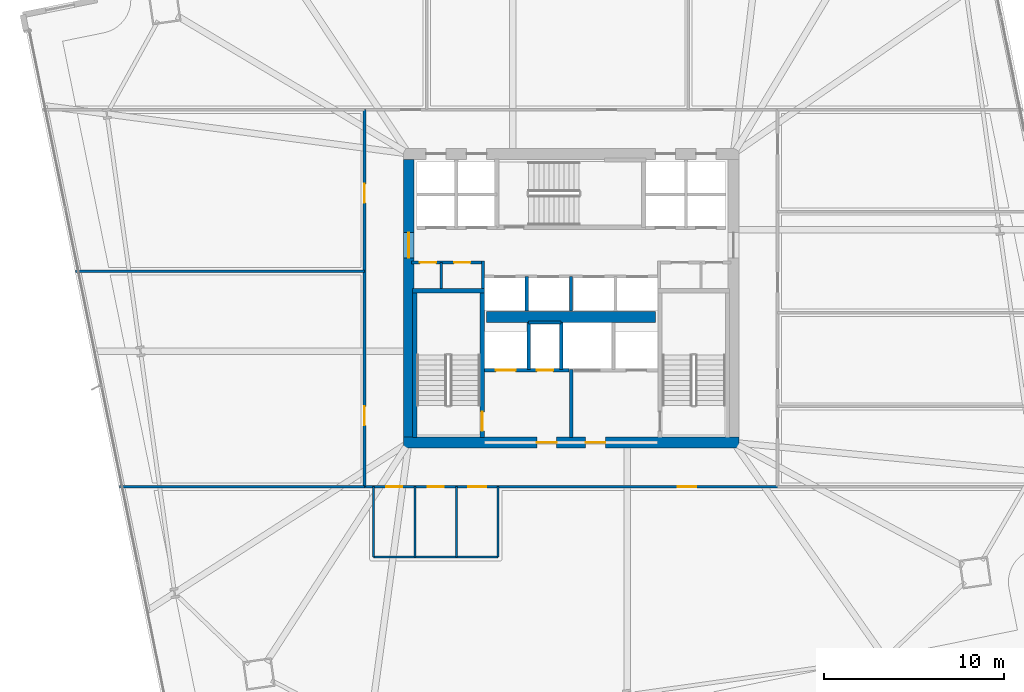
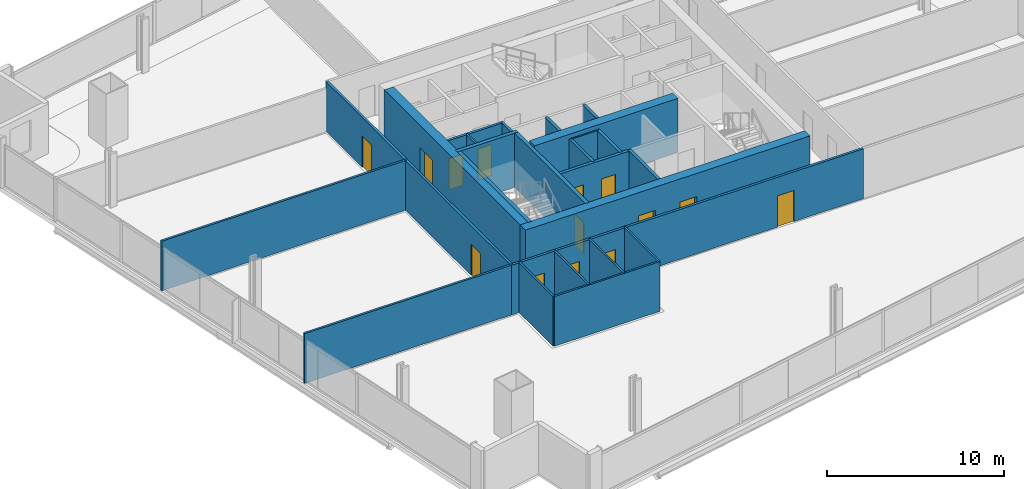
# One storey, part 25 of 33: 25 walls, 14 doors, 14 openings.
"""IFC4 building model written with IfcOpenShell, lengths in metres."""

import ifcopenshell
import ifcopenshell.guid

model = None  # the IFC model being written
_history = None  # IfcOwnerHistory: only IFC2X3 demands one
_inside = {}  # id of a spatial element -> (the spatial element, [elements in it])
_under = {}  # id of a project, library or spatial element -> (it, [spatial elements below it])
_declared = {}  # id of a project -> (the project, [libraries it declares])
_typed = {}  # id of a type object -> (the type object, [elements of that type])
_made_of = {}  # id of a material, layer set ... -> (it, [elements and type objects made of it])


def new_model(schema):
    """Start an empty IFC model of exactly this schema.

    Asked for "IFC4X3", IfcOpenShell would pick the latest addendum, in which some entities
    have other attributes; the version numbers below select the first issue.
    IFC2X3 requires an IfcOwnerHistory on every rooted entity: one is made here for all.
    """
    global model, _history
    if schema == "IFC4X3":
        model = ifcopenshell.file(schema_version=(4, 3, 0, 0))
    else:
        model = ifcopenshell.file(schema=schema)
    _inside.clear()
    _under.clear()
    _declared.clear()
    _typed.clear()
    _made_of.clear()
    _history = None
    if model.schema == "IFC2X3":
        org = make("IfcOrganization", Name="unknown")
        user = make(
            "IfcPersonAndOrganization",
            ThePerson=make("IfcPerson", FamilyName="unknown"),
            TheOrganization=org,
        )
        app = make(
            "IfcApplication",
            ApplicationDeveloper=org,
            Version="unknown",
            ApplicationFullName="unknown",
            ApplicationIdentifier="unknown",
        )
        _history = make(
            "IfcOwnerHistory",
            OwningUser=user,
            OwningApplication=app,
            ChangeAction="ADDED",
            CreationDate=0,
        )
    return model


def make(cls, **values):
    """One entity of the class cls with the attributes given. An attribute that is None is left unset."""
    return model.create_entity(
        cls, **{name: value for name, value in values.items() if value is not None}
    )


def rooted(cls, **values):
    """An entity with a GlobalId (a new one), such as an element, a storey or a relation."""
    return make(cls, GlobalId=ifcopenshell.guid.new(), OwnerHistory=_history, **values)


def si_unit(unit_type, name, prefix=None):
    """IfcSIUnit, for example si_unit("LENGTHUNIT", "METRE", prefix="MILLI")."""
    return make("IfcSIUnit", UnitType=unit_type, Prefix=prefix, Name=name)


def assignment(units):
    """IfcUnitAssignment: the units of a project."""
    return None if units is None else make("IfcUnitAssignment", Units=units)


def point(xyz):
    """IfcCartesianPoint."""
    return None if xyz is None else make("IfcCartesianPoint", Coordinates=xyz)


def direction(xyz):
    """IfcDirection."""
    return None if xyz is None else make("IfcDirection", DirectionRatios=xyz)


def frame(location, z_axis=None, x_axis=None):
    """IfcAxis2Placement3D, a coordinate frame: its origin and axes. An axis left out is left unset."""
    return make(
        "IfcAxis2Placement3D",
        Location=point(location),
        Axis=direction(z_axis),
        RefDirection=direction(x_axis),
    )


def frame_2d(location, x_axis=None):
    """IfcAxis2Placement2D, a coordinate frame in the plane: its origin and x axis."""
    return make(
        "IfcAxis2Placement2D", Location=point(location), RefDirection=direction(x_axis)
    )


def origin():
    """The frame at (0, 0, 0) with its axes left unset."""
    return frame((0.0, 0.0, 0.0))


def place(relative_to, where):
    """IfcLocalPlacement: puts the frame where relative to a parent placement (None: the world)."""
    return make(
        "IfcLocalPlacement", PlacementRelTo=relative_to, RelativePlacement=where
    )


def context(
    kind, dimensions, precision=None, world=None, true_north=None, identifier=None
):
    """IfcGeometricRepresentationContext, for example the 3D "Model" context."""
    return make(
        "IfcGeometricRepresentationContext",
        ContextIdentifier=identifier,
        ContextType=kind,
        CoordinateSpaceDimension=dimensions,
        Precision=precision,
        WorldCoordinateSystem=world,
        TrueNorth=true_north,
    )


def subcontext(parent, identifier, kind, view, scale=None):
    """IfcGeometricRepresentationSubContext, for example "Body" below "Model"."""
    return make(
        "IfcGeometricRepresentationSubContext",
        ContextIdentifier=identifier,
        ContextType=kind,
        ParentContext=parent,
        TargetScale=scale,
        TargetView=view,
    )


def project(units=None, contexts=None):
    """IfcProject with its units and contexts."""
    return rooted(
        "IfcProject",
        Name="project",
        RepresentationContexts=contexts,
        UnitsInContext=assignment(units),
    )


def spatial(cls, under=None, at=None, **own):
    """A site, building, storey or space (cls), placed at a placement, below another one or the project."""
    s = rooted(cls, ObjectPlacement=at, **own)
    if under is not None:
        _under.setdefault(under.id(), (under, []))[1].append(s)
    return s


def profile(cls, at=None, kind="AREA", **sizes):
    """A parametric profile (cls). Its sizes go by their IFC names, for example OverallWidth=200.0."""
    return make(cls, ProfileType=kind, Position=at, **sizes)


def rectangle(**sizes):
    """IfcRectangleProfileDef."""
    return profile("IfcRectangleProfileDef", **sizes)


def extrude(swept, where, along, depth):
    """IfcExtrudedAreaSolid: the profile swept, set in the frame where, extruded along a direction by depth."""
    return make(
        "IfcExtrudedAreaSolid",
        SweptArea=swept,
        Position=where,
        ExtrudedDirection=direction(along),
        Depth=depth,
    )


def shape(context_of_items, identifier, shape_type, items):
    """IfcShapeRepresentation: the items that make up one representation, for example the "Body"."""
    return make(
        "IfcShapeRepresentation",
        ContextOfItems=context_of_items,
        RepresentationIdentifier=identifier,
        RepresentationType=shape_type,
        Items=items,
    )


def material(Name=None, Category=None):
    """IfcMaterial."""
    return make("IfcMaterial", Name=Name, Category=Category)


def layer(
    of_material, thickness, ventilated=None, Name=None, Category=None, Priority=None
):
    """IfcMaterialLayer: one layer of a wall or slab, of a material (None: an air gap)."""
    return make(
        "IfcMaterialLayer",
        Material=of_material,
        LayerThickness=thickness,
        IsVentilated=ventilated,
        Name=Name,
        Category=Category,
        Priority=Priority,
    )


def layer_set(layers, Name=None):
    """IfcMaterialLayerSet."""
    return make("IfcMaterialLayerSet", MaterialLayers=layers, LayerSetName=Name)


def made_of(thing, what):
    """Note that an element or type object is made of a material, layer set ...; save() writes the relation."""
    if what is not None:
        _made_of.setdefault(what.id(), (what, []))[1].append(thing)
    return thing


def type_object(cls, material=None, **own):
    """A type object (cls), such as IfcWallType, which elements share."""
    return made_of(rooted(cls, **own), material)


def element(
    cls,
    number,
    at=None,
    inside=None,
    cuts=None,
    type_object=None,
    material=None,
    context=None,
    identifier="Body",
    shape_type=None,
    held_by="IfcProductDefinitionShape",
    body=None,
    shapes=None,
    **own,
):
    """One element of the class cls, such as IfcWall. Its Tag is "e" and its number.

    at: its placement. inside: the storey or other place that contains it. cuts: it is an
    opening in that element (IfcRelVoidsElement). A single representation is given by context,
    identifier, shape_type and body (its items); several are given by shapes. held_by: the class
    of the entity that holds the representations. save() writes the other relations.
    """
    e = rooted(cls, Tag="e%d" % number, ObjectPlacement=at, **own)
    if body is not None:
        shapes = [shape(context, identifier, shape_type, body)]
    if shapes is not None:
        e.Representation = make(held_by, Representations=shapes)
    if inside is not None:
        _inside.setdefault(inside.id(), (inside, []))[1].append(e)
    if cuts is not None:
        rooted(
            "IfcRelVoidsElement", RelatingBuildingElement=cuts, RelatedOpeningElement=e
        )
    if type_object is not None:
        _typed.setdefault(type_object.id(), (type_object, []))[1].append(e)
    return made_of(e, material)


def fill(opening, filler):
    """IfcRelFillsElement: the door or window that sits in an opening."""
    return rooted(
        "IfcRelFillsElement",
        RelatingOpeningElement=opening,
        RelatedBuildingElement=filler,
    )


def aggregate(whole, parts):
    """IfcRelAggregates: a whole, such as a stair, and the parts it consists of."""
    return rooted("IfcRelAggregates", RelatingObject=whole, RelatedObjects=parts)


def save(model, path):
    """Write the relations noted so far, then the file.

    IfcRelAggregates (storeys below a building ...), IfcRelContainedInSpatialStructure (elements
    in a storey), IfcRelDefinesByType, IfcRelAssociatesMaterial and IfcRelDeclares: one each for
    every whole, place, type object, material and project.
    """
    for whole, parts in _under.values():
        aggregate(whole, parts)
    for where, things in _inside.values():
        rooted(
            "IfcRelContainedInSpatialStructure",
            RelatedElements=things,
            RelatingStructure=where,
        )
    for kind, things in _typed.values():
        rooted("IfcRelDefinesByType", RelatedObjects=things, RelatingType=kind)
    for what, things in _made_of.values():
        rooted("IfcRelAssociatesMaterial", RelatedObjects=things, RelatingMaterial=what)
    for by, libraries in _declared.values():
        rooted("IfcRelDeclares", RelatingContext=by, RelatedDefinitions=libraries)
    model.write(path)


model = new_model("IFC4")

# Units and contexts
model_context = context("Model", 3, precision=1e-05, world=origin(), true_north=direction((0.0, 1.0)))
body_context = subcontext(model_context, "Body", "Model", "MODEL_VIEW")
ifc_project = project(units=[si_unit("LENGTHUNIT", "METRE"), si_unit("AREAUNIT", "SQUARE_METRE"), si_unit("VOLUMEUNIT", "CUBIC_METRE"), si_unit("PLANEANGLEUNIT", "RADIAN"), si_unit("MASSUNIT", "GRAM", prefix="KILO")], contexts=[model_context])

# Site, building, storey
site_placement = place(None, origin())
site = spatial("IfcSite", under=ifc_project, at=site_placement, CompositionType="ELEMENT")
building_placement = place(site_placement, origin())
building = spatial("IfcBuilding", under=site, at=building_placement, Name="Haldenkirk Collegiate Tower", CompositionType="ELEMENT")
storey_placement = place(building_placement, frame((0.0, 0.0, 66.449951171875)))
storey = spatial("IfcBuildingStorey", under=building, at=storey_placement, Name="L15", CompositionType="ELEMENT", Elevation=66.449951171875)

# Wall, openings, doors
ifc_material_1 = material(Name="Concrete f'c 70 MPa", Category="concrete")
ifc_layer_1 = layer(ifc_material_1, 0.60009765625)
ifc_layer_set_1 = layer_set([ifc_layer_1], Name="Concrete f'c 70 MPa")
wall_type_1 = type_object("IfcWallType", Name="WL-CORE-600", PredefinedType="SHEAR", material=ifc_layer_set_1)
wall_1_placement = place(storey_placement, frame((26.699951171875, 18.0, 0.0), z_axis=(0.0, 0.0, 1.0), x_axis=(1.0, 0.0, 0.0)))
wall_1 = element("IfcWall", 1, at=wall_1_placement, inside=storey, type_object=wall_type_1, Name="L15 central core shear wall S", PredefinedType="SHEAR", context=body_context, shape_type="SweptSolid", body=[
    extrude(rectangle(XDim=18.60009765625, YDim=0.60009765625, at=frame_2d((9.300048828125, 0.0))), origin(), (0.0, 0.0, 1.0), 3.75),
])
opening_1_placement = place(wall_1_placement, frame((7.39990234375, 0.0, 0.0)))
opening_1 = element("IfcOpeningElement", 2, at=opening_1_placement, cuts=wall_1, Name="Opening D-02", PredefinedType="OPENING", context=body_context, shape_type="SweptSolid", body=[
    extrude(rectangle(XDim=1.10009765625, YDim=2.14990234375, at=frame_2d((0.550048828125, 1.074951171875))), frame((0.0, 0.31005859375, 0.0), z_axis=(0.0, -1.0, 0.0), x_axis=(1.0, 0.0, 0.0)), (0.0, 0.0, 1.0), 0.6201171875),
])
opening_2_placement = place(wall_1_placement, frame((10.10009765625, 0.0, 0.0)))
opening_2 = element("IfcOpeningElement", 3, at=opening_2_placement, cuts=wall_1, Name="Opening D-02", PredefinedType="OPENING", context=body_context, shape_type="SweptSolid", body=[
    extrude(rectangle(XDim=1.10009765625, YDim=2.14990234375, at=frame_2d((0.550048828125, 1.074951171875))), frame((0.0, 0.31005859375, 0.0), z_axis=(0.0, -1.0, 0.0), x_axis=(1.0, 0.0, 0.0)), (0.0, 0.0, 1.0), 0.6201171875),
])
ifc_material_2 = material(Name="Galvanized fire-rated hollow steel door", Category="steel")
ifc_layer_2 = layer(ifc_material_2, 0.06005859375)
ifc_layer_set_2 = layer_set([ifc_layer_2], Name="Galvanized fire-rated hollow steel door")
door_type_1 = type_object("IfcDoorType", Name="DR-STAIR-FD90-1100", OperationType="NOTDEFINED", PredefinedType="DOOR", material=ifc_layer_set_2)
door_1_placement = place(opening_1_placement, origin())
door_1 = element("IfcDoor", 4, at=door_1_placement, inside=storey, type_object=door_type_1, Name="L15 Firefighting Lobby 1 door", OperationType="SINGLE_SWING_LEFT", OverallHeight=2.14990234375, OverallWidth=1.10009765625, PredefinedType="DOOR", context=body_context, shape_type="SweptSolid", body=[
    extrude(rectangle(XDim=1.10009765625, YDim=2.14990234375, at=frame_2d((0.550048828125, 1.074951171875))), frame((0.0, 0.02490234375, 0.0), z_axis=(0.0, -1.0, 0.0), x_axis=(1.0, 0.0, 0.0)), (0.0, 0.0, 1.0), 0.050048828125),
])
fill(opening_1, door_1)
door_2_placement = place(opening_2_placement, origin())
door_2 = element("IfcDoor", 5, at=door_2_placement, inside=storey, type_object=door_type_1, Name="L15 Firefighting Lobby 2 door", OperationType="SINGLE_SWING_RIGHT", OverallHeight=2.14990234375, OverallWidth=1.10009765625, PredefinedType="DOOR", context=body_context, shape_type="SweptSolid", body=[
    extrude(rectangle(XDim=1.10009765625, YDim=2.14990234375, at=frame_2d((0.550048828125, 1.074951171875))), frame((0.0, 0.02490234375, 0.0), z_axis=(0.0, -1.0, 0.0), x_axis=(1.0, 0.0, 0.0)), (0.0, 0.0, 1.0), 0.050048828125),
])
fill(opening_2, door_2)

# Wall, opening, door
wall_2_placement = place(storey_placement, frame((27.0, 18.300048828125, 0.0), z_axis=(0.0, 0.0, 1.0), x_axis=(0.0, 1.0, 0.0)))
wall_2 = element("IfcWall", 6, at=wall_2_placement, inside=storey, type_object=wall_type_1, Name="L15 central core shear wall W", PredefinedType="SHEAR", context=body_context, shape_type="SweptSolid", body=[
    extrude(rectangle(XDim=15.39990234375, YDim=0.60009765625, at=frame_2d((7.699951171875, 0.0))), origin(), (0.0, 0.0, 1.0), 3.75),
])
opening_3_placement = place(wall_2_placement, frame((9.93994140625, 0.0, 0.0)))
opening_3 = element("IfcOpeningElement", 7, at=opening_3_placement, cuts=wall_2, Name="Opening D-03", PredefinedType="OPENING", context=body_context, shape_type="SweptSolid", body=[
    extrude(rectangle(XDim=1.39990234375, YDim=2.199951171875, at=frame_2d((0.699951171875, 1.10009765625))), frame((0.0, 0.31005859375, 0.0), z_axis=(0.0, -1.0, 0.0), x_axis=(1.0, 0.0, 0.0)), (0.0, 0.0, 1.0), 0.6201171875),
])
ifc_layer_3 = layer(ifc_material_2, 0.06005859375)
ifc_layer_set_3 = layer_set([ifc_layer_3], Name="Galvanized fire-rated hollow steel door")
door_type_2 = type_object("IfcDoorType", Name="DR-LOBBY-FD90-1400", OperationType="NOTDEFINED", PredefinedType="DOOR", material=ifc_layer_set_3)
door_3_placement = place(opening_3_placement, origin())
door_3 = element("IfcDoor", 8, at=door_3_placement, inside=storey, type_object=door_type_2, Name="L15 west lift lobby portal", OperationType="DOUBLE_DOOR_SINGLE_SWING", OverallHeight=2.199951171875, OverallWidth=1.39990234375, PredefinedType="DOOR", context=body_context, shape_type="SweptSolid", body=[
    extrude(rectangle(XDim=1.39990234375, YDim=2.199951171875, at=frame_2d((0.699951171875, 1.10009765625))), frame((0.0, 0.02490234375, 0.0), z_axis=(0.0, -1.0, 0.0), x_axis=(1.0, 0.0, 0.0)), (0.0, 0.0, 1.0), 0.050048828125),
])
fill(opening_3, door_3)

# Wall
wall_3_placement = place(storey_placement, frame((31.31005859375, 24.949951171875, 0.0), z_axis=(0.0, 0.0, 1.0), x_axis=(1.0, 0.0, 0.0)))
element("IfcWall", 9, at=wall_3_placement, inside=storey, type_object=wall_type_1, Name="L15 central core spine shear wall", PredefinedType="SHEAR", context=body_context, shape_type="SweptSolid", body=[
    extrude(rectangle(XDim=9.3798828125, YDim=0.60009765625, at=frame_2d((4.68994140625, 0.0))), origin(), (0.0, 0.0, 1.0), 3.75),
])

# Wall, openings, doors
ifc_material_3 = material(Name="Acoustic fire-rated gypsum partition", Category="concrete")
ifc_layer_4 = layer(ifc_material_3, 0.159912109375)
ifc_layer_set_4 = layer_set([ifc_layer_4], Name="Acoustic fire-rated gypsum partition")
wall_type_2 = type_object("IfcWallType", Name="WL-INT-CORR-160", PredefinedType="PARTITIONING", material=ifc_layer_set_4)
wall_4_placement = place(storey_placement, frame((27.14990234375, 27.97998046875, 0.0), z_axis=(0.0, 0.0, 1.0), x_axis=(1.0, 0.0, 0.0)))
wall_4 = element("IfcWall", 10, at=wall_4_placement, inside=storey, type_object=wall_type_2, Name="L15 interior partition IW-L15-VCSW-N", PredefinedType="PARTITIONING", context=body_context, shape_type="SweptSolid", body=[
    extrude(rectangle(XDim=4.050048828125, YDim=0.159912109375, at=frame_2d((2.02490234375, 0.0))), origin(), (0.0, 0.0, 1.0), 3.43994140625),
])
opening_4_placement = place(wall_4_placement, frame((0.469970703125, 0.0, 0.0)))
opening_4 = element("IfcOpeningElement", 11, at=opening_4_placement, cuts=wall_4, Name="Opening D-11", PredefinedType="OPENING", context=body_context, shape_type="SweptSolid", body=[
    extrude(rectangle(XDim=0.89990234375, YDim=2.14990234375, at=frame_2d((0.449951171875, 1.074951171875))), frame((0.0, 0.08984375, 0.0), z_axis=(0.0, -1.0, 0.0), x_axis=(1.0, 0.0, 0.0)), (0.0, 0.0, 1.0), 0.179931640625),
])
opening_5_placement = place(wall_4_placement, frame((2.360107421875, 0.0, 0.0)))
opening_5 = element("IfcOpeningElement", 12, at=opening_5_placement, cuts=wall_4, Name="Opening D-11", PredefinedType="OPENING", context=body_context, shape_type="SweptSolid", body=[
    extrude(rectangle(XDim=0.89990234375, YDim=2.14990234375, at=frame_2d((0.449951171875, 1.074951171875))), frame((0.0, 0.08984375, 0.0), z_axis=(0.0, -1.0, 0.0), x_axis=(1.0, 0.0, 0.0)), (0.0, 0.0, 1.0), 0.179931640625),
])
ifc_material_4 = material(Name="Solid-core architectural oak fire door", Category="wood")
ifc_layer_5 = layer(ifc_material_4, 0.06005859375)
ifc_layer_set_5 = layer_set([ifc_layer_5], Name="Solid-core architectural oak fire door")
door_type_3 = type_object("IfcDoorType", Name="DR-INT-FD60-900", OperationType="NOTDEFINED", PredefinedType="DOOR", material=ifc_layer_set_5)
door_4_placement = place(opening_4_placement, origin())
door_4 = element("IfcDoor", 13, at=door_4_placement, inside=storey, type_object=door_type_3, Name="L15 core AV closet door", OperationType="SINGLE_SWING_RIGHT", OverallHeight=2.14990234375, OverallWidth=0.89990234375, PredefinedType="DOOR", context=body_context, shape_type="SweptSolid", body=[
    extrude(rectangle(XDim=0.89990234375, YDim=2.14990234375, at=frame_2d((0.449951171875, 1.074951171875))), frame((0.0, 0.02490234375, 0.0), z_axis=(0.0, -1.0, 0.0), x_axis=(1.0, 0.0, 0.0)), (0.0, 0.0, 1.0), 0.050048828125),
])
fill(opening_4, door_4)
door_5_placement = place(opening_5_placement, origin())
door_5 = element("IfcDoor", 14, at=door_5_placement, inside=storey, type_object=door_type_3, Name="L15 core supply closet door", OperationType="SINGLE_SWING_LEFT", OverallHeight=2.14990234375, OverallWidth=0.89990234375, PredefinedType="DOOR", context=body_context, shape_type="SweptSolid", body=[
    extrude(rectangle(XDim=0.89990234375, YDim=2.14990234375, at=frame_2d((0.449951171875, 1.074951171875))), frame((0.0, 0.02490234375, 0.0), z_axis=(0.0, -1.0, 0.0), x_axis=(1.0, 0.0, 0.0)), (0.0, 0.0, 1.0), 0.050048828125),
])
fill(opening_5, door_5)

# Wall
wall_5_placement = place(storey_placement, frame((31.1201171875, 26.5400390625, 0.0), z_axis=(0.0, 0.0, 1.0), x_axis=(0.0, 1.0, 0.0)))
element("IfcWall", 15, at=wall_5_placement, inside=storey, type_object=wall_type_2, Name="L15 interior partition IW-L15-VCSW-E", PredefinedType="PARTITIONING", context=body_context, shape_type="SweptSolid", body=[
    extrude(rectangle(XDim=1.510009765625, YDim=0.159912109375, at=frame_2d((0.7548828125, 0.0))), origin(), (0.0, 0.0, 1.0), 3.43994140625),
])

# Wall, openings, doors
wall_6_placement = place(storey_placement, frame((24.5, 15.550048828125, 0.0), z_axis=(0.0, 0.0, 1.0), x_axis=(1.0, 0.0, 0.0)))
wall_6 = element("IfcWall", 16, at=wall_6_placement, inside=storey, type_object=wall_type_2, Name="L15 interior partition IW-L15-CS", PredefinedType="PARTITIONING", context=body_context, shape_type="SweptSolid", body=[
    extrude(rectangle(XDim=23.0, YDim=0.159912109375, at=frame_2d((11.5, 0.0))), origin(), (0.0, 0.0, 1.0), 3.43994140625),
])
opening_6_placement = place(wall_6_placement, frame((1.25, 0.0, 0.0)))
opening_6 = element("IfcOpeningElement", 17, at=opening_6_placement, cuts=wall_6, Name="Opening D-13", PredefinedType="OPENING", context=body_context, shape_type="SweptSolid", body=[
    extrude(rectangle(XDim=0.89990234375, YDim=2.14990234375, at=frame_2d((0.449951171875, 1.074951171875))), frame((0.0, 0.08984375, 0.0), z_axis=(0.0, -1.0, 0.0), x_axis=(1.0, 0.0, 0.0)), (0.0, 0.0, 1.0), 0.179931640625),
])
opening_7_placement = place(wall_6_placement, frame((3.550048828125, 0.0, 0.0)))
opening_7 = element("IfcOpeningElement", 18, at=opening_7_placement, cuts=wall_6, Name="Opening D-13", PredefinedType="OPENING", context=body_context, shape_type="SweptSolid", body=[
    extrude(rectangle(XDim=0.89990234375, YDim=2.14990234375, at=frame_2d((0.449951171875, 1.074951171875))), frame((0.0, 0.08984375, 0.0), z_axis=(0.0, -1.0, 0.0), x_axis=(1.0, 0.0, 0.0)), (0.0, 0.0, 1.0), 0.179931640625),
])
opening_8_placement = place(wall_6_placement, frame((5.800048828125, 0.0, 0.0)))
opening_8 = element("IfcOpeningElement", 19, at=opening_8_placement, cuts=wall_6, Name="Opening D-14", PredefinedType="OPENING", context=body_context, shape_type="SweptSolid", body=[
    extrude(rectangle(XDim=1.0, YDim=2.14990234375, at=frame_2d((0.5, 1.074951171875))), frame((0.0, 0.08984375, 0.0), z_axis=(0.0, -1.0, 0.0), x_axis=(1.0, 0.0, 0.0)), (0.0, 0.0, 1.0), 0.179931640625),
])
opening_9_placement = place(wall_6_placement, frame((17.39892578125, 0.0, 0.0)))
opening_9 = element("IfcOpeningElement", 20, at=opening_9_placement, cuts=wall_6, Name="Opening D-09", PredefinedType="OPENING", context=body_context, shape_type="SweptSolid", body=[
    extrude(rectangle(XDim=1.050048828125, YDim=2.14990234375, at=frame_2d((0.52490234375, 1.074951171875))), frame((0.0, 0.08984375, 0.0), z_axis=(0.0, -1.0, 0.0), x_axis=(1.0, 0.0, 0.0)), (0.0, 0.0, 1.0), 0.179931640625),
])
ifc_layer_6 = layer(ifc_material_4, 0.06005859375)
ifc_layer_set_6 = layer_set([ifc_layer_6], Name="Solid-core architectural oak fire door")
door_type_4 = type_object("IfcDoorType", Name="DR-INT-ACC-1000", OperationType="NOTDEFINED", PredefinedType="DOOR", material=ifc_layer_set_6)
door_6_placement = place(opening_8_placement, origin())
door_6 = element("IfcDoor", 21, at=door_6_placement, inside=storey, type_object=door_type_4, Name="L15 Accessible WC door", OperationType="SINGLE_SWING_RIGHT", OverallHeight=2.14990234375, OverallWidth=1.0, PredefinedType="DOOR", context=body_context, shape_type="SweptSolid", body=[
    extrude(rectangle(XDim=1.0, YDim=2.14990234375, at=frame_2d((0.5, 1.074951171875))), frame((0.0, 0.02490234375, 0.0), z_axis=(0.0, -1.0, 0.0), x_axis=(1.0, 0.0, 0.0)), (0.0, 0.0, 1.0), 0.050048828125),
])
fill(opening_8, door_6)
ifc_layer_7 = layer(ifc_material_4, 0.06005859375)
ifc_layer_set_7 = layer_set([ifc_layer_7], Name="Solid-core architectural oak fire door")
door_type_5 = type_object("IfcDoorType", Name="DR-INT-FD60-1050", OperationType="NOTDEFINED", PredefinedType="DOOR", material=ifc_layer_set_7)
door_7_placement = place(opening_9_placement, origin())
door_7 = element("IfcDoor", 22, at=door_7_placement, inside=storey, type_object=door_type_5, Name="L15 Hospitality Tea Kitchen 1 door", OperationType="SINGLE_SWING_LEFT", OverallHeight=2.14990234375, OverallWidth=1.050048828125, PredefinedType="DOOR", context=body_context, shape_type="SweptSolid", body=[
    extrude(rectangle(XDim=1.050048828125, YDim=2.14990234375, at=frame_2d((0.52490234375, 1.074951171875))), frame((0.0, 0.02490234375, 0.0), z_axis=(0.0, -1.0, 0.0), x_axis=(1.0, 0.0, 0.0)), (0.0, 0.0, 1.0), 0.050048828125),
])
fill(opening_9, door_7)
ifc_layer_8 = layer(ifc_material_4, 0.06005859375)
ifc_layer_set_8 = layer_set([ifc_layer_8], Name="Solid-core architectural oak fire door")
door_type_6 = type_object("IfcDoorType", Name="DR-INT-STD-900", OperationType="NOTDEFINED", PredefinedType="DOOR", material=ifc_layer_set_8)
door_8_placement = place(opening_6_placement, origin())
door_8 = element("IfcDoor", 23, at=door_8_placement, inside=storey, type_object=door_type_6, Name="L15 Male WC door", OperationType="SINGLE_SWING_RIGHT", OverallHeight=2.14990234375, OverallWidth=0.89990234375, PredefinedType="DOOR", context=body_context, shape_type="SweptSolid", body=[
    extrude(rectangle(XDim=0.89990234375, YDim=2.14990234375, at=frame_2d((0.449951171875, 1.074951171875))), frame((0.0, 0.02490234375, 0.0), z_axis=(0.0, -1.0, 0.0), x_axis=(1.0, 0.0, 0.0)), (0.0, 0.0, 1.0), 0.050048828125),
])
fill(opening_6, door_8)
door_9_placement = place(opening_7_placement, origin())
door_9 = element("IfcDoor", 24, at=door_9_placement, inside=storey, type_object=door_type_6, Name="L15 Female WC door", OperationType="SINGLE_SWING_LEFT", OverallHeight=2.14990234375, OverallWidth=0.89990234375, PredefinedType="DOOR", context=body_context, shape_type="SweptSolid", body=[
    extrude(rectangle(XDim=0.89990234375, YDim=2.14990234375, at=frame_2d((0.449951171875, 1.074951171875))), frame((0.0, 0.02490234375, 0.0), z_axis=(0.0, -1.0, 0.0), x_axis=(1.0, 0.0, 0.0)), (0.0, 0.0, 1.0), 0.050048828125),
])
fill(opening_7, door_9)

wall_7_placement = place(storey_placement, frame((24.550048828125, 15.550048828125, 0.0), z_axis=(0.0, 0.0, 1.0), x_axis=(0.0, 1.0, 0.0)))
wall_7 = element("IfcWall", 25, at=wall_7_placement, inside=storey, type_object=wall_type_2, Name="L15 interior partition IW-L15-CW", PredefinedType="PARTITIONING", context=body_context, shape_type="SweptSolid", body=[
    extrude(rectangle(XDim=20.89990234375, YDim=0.159912109375, at=frame_2d((10.449951171875, 0.0))), origin(), (0.0, 0.0, 1.0), 3.43994140625),
])
opening_10_placement = place(wall_7_placement, frame((3.405029296875, 0.0, 0.0)))
opening_10 = element("IfcOpeningElement", 26, at=opening_10_placement, cuts=wall_7, Name="Opening D-09", PredefinedType="OPENING", context=body_context, shape_type="SweptSolid", body=[
    extrude(rectangle(XDim=1.050048828125, YDim=2.14990234375, at=frame_2d((0.52490234375, 1.074951171875))), frame((0.0, 0.08984375, 0.0), z_axis=(0.0, -1.0, 0.0), x_axis=(1.0, 0.0, 0.0)), (0.0, 0.0, 1.0), 0.179931640625),
])
opening_11_placement = place(wall_7_placement, frame((15.73388671875, 0.0, 0.0)))
opening_11 = element("IfcOpeningElement", 27, at=opening_11_placement, cuts=wall_7, Name="Opening D-09", PredefinedType="OPENING", context=body_context, shape_type="SweptSolid", body=[
    extrude(rectangle(XDim=1.050048828125, YDim=2.14990234375, at=frame_2d((0.52490234375, 1.074951171875))), frame((0.0, 0.08984375, 0.0), z_axis=(0.0, -1.0, 0.0), x_axis=(1.0, 0.0, 0.0)), (0.0, 0.0, 1.0), 0.179931640625),
])
door_10_placement = place(opening_10_placement, origin())
door_10 = element("IfcDoor", 28, at=door_10_placement, inside=storey, type_object=door_type_5, Name="L15 Wet Science Laboratory 5 door", OperationType="SINGLE_SWING_LEFT", OverallHeight=2.14990234375, OverallWidth=1.050048828125, PredefinedType="DOOR", context=body_context, shape_type="SweptSolid", body=[
    extrude(rectangle(XDim=1.050048828125, YDim=2.14990234375, at=frame_2d((0.52490234375, 1.074951171875))), frame((0.0, 0.02490234375, 0.0), z_axis=(0.0, -1.0, 0.0), x_axis=(1.0, 0.0, 0.0)), (0.0, 0.0, 1.0), 0.050048828125),
])
fill(opening_10, door_10)
door_11_placement = place(opening_11_placement, origin())
door_11 = element("IfcDoor", 29, at=door_11_placement, inside=storey, type_object=door_type_5, Name="L15 Model Shop Laboratory 6 door", OperationType="SINGLE_SWING_RIGHT", OverallHeight=2.14990234375, OverallWidth=1.050048828125, PredefinedType="DOOR", context=body_context, shape_type="SweptSolid", body=[
    extrude(rectangle(XDim=1.050048828125, YDim=2.14990234375, at=frame_2d((0.52490234375, 1.074951171875))), frame((0.0, 0.02490234375, 0.0), z_axis=(0.0, -1.0, 0.0), x_axis=(1.0, 0.0, 0.0)), (0.0, 0.0, 1.0), 0.050048828125),
])
fill(opening_11, door_11)

# Walls
ifc_layer_9 = layer(ifc_material_3, 0.139892578125)
ifc_layer_set_9 = layer_set([ifc_layer_9], Name="Acoustic fire-rated gypsum partition")
wall_type_3 = type_object("IfcWallType", Name="WL-INT-DIV-140", PredefinedType="PARTITIONING", material=ifc_layer_set_9)
wall_8_placement = place(storey_placement, frame((10.970947265625, 15.550048828125, 0.0), z_axis=(0.0, 0.0, 1.0), x_axis=(1.0, 0.0, 0.0)))
element("IfcWall", 30, at=wall_8_placement, inside=storey, type_object=wall_type_3, Name="L15 interior partition IW-L15-BWS", PredefinedType="PARTITIONING", context=body_context, shape_type="SweptSolid", body=[
    extrude(rectangle(XDim=13.5791015625, YDim=0.139892578125, at=frame_2d((6.78955078125, 0.0))), origin(), (0.0, 0.0, 1.0), 3.43994140625),
])
wall_9_placement = place(storey_placement, frame((8.539794921875, 27.5, 0.0), z_axis=(0.0, 0.0, 1.0), x_axis=(1.0, 0.0, 0.0)))
element("IfcWall", 31, at=wall_9_placement, inside=storey, type_object=wall_type_3, Name="L15 interior partition IW-L15-RW1", PredefinedType="PARTITIONING", context=body_context, shape_type="SweptSolid", body=[
    extrude(rectangle(XDim=16.01025390625, YDim=0.139892578125, at=frame_2d((8.005126953125, 0.0))), origin(), (0.0, 0.0, 1.0), 3.43994140625),
])
ifc_material_5 = material(Name="Fire-rated gypsum shaftboard assembly", Category="concrete")
ifc_layer_10 = layer(ifc_material_5, 0.179931640625)
ifc_layer_set_10 = layer_set([ifc_layer_10], Name="Fire-rated gypsum shaftboard assembly")
wall_type_4 = type_object("IfcWallType", Name="WL-INT-SHAFT-180", PredefinedType="PARTITIONING", material=ifc_layer_set_10)
for number, where, z_axis, x_axis, name in (
    (32, (33.64990234375, 22.050048828125, 0.0), (0.0, 0.0, 1.0), (0.0, 1.0, 0.0), "L15 interior partition IW-L15-FL1E"),
    (33, (35.449951171875, 22.050048828125, 0.0), (0.0, 0.0, 1.0), (0.0, 1.0, 0.0), "L15 interior partition IW-L15-GL1W"),
):
    element("IfcWall", number, at=place(storey_placement, frame(where, z_axis=z_axis, x_axis=x_axis)), inside=storey, type_object=wall_type_4, Name=name, PredefinedType="PARTITIONING", context=body_context, shape_type="SweptSolid", body=[
        extrude(rectangle(XDim=2.599853515625, YDim=0.179931640625, at=frame_2d((1.2998046875, 0.0))), origin(), (0.0, 0.0, 1.0), 3.43994140625),
    ])
wall_10_placement = place(storey_placement, frame((33.64990234375, 24.64990234375, 0.0), z_axis=(0.0, 0.0, 1.0), x_axis=(1.0, 0.0, 0.0)))
element("IfcWall", 34, at=wall_10_placement, inside=storey, type_object=wall_type_4, Name="L15 interior partition IW-L15-RSRN", PredefinedType="PARTITIONING", context=body_context, shape_type="SweptSolid", body=[
    extrude(rectangle(XDim=1.800048828125, YDim=0.179931640625, at=frame_2d((0.89990234375, 0.0))), origin(), (0.0, 0.0, 1.0), 3.43994140625),
])
for number, where, z_axis, x_axis, name in (
    (35, (33.5400390625, 25.300048828125, 0.0), (0.0, 0.0, 1.0), (0.0, 1.0, 0.0), "L15 interior partition IW-L15-PHV1"),
    (36, (36.0, 25.300048828125, 0.0), (0.0, 0.0, 1.0), (0.0, 1.0, 0.0), "L15 interior partition IW-L15-PHV2"),
):
    element("IfcWall", number, at=place(storey_placement, frame(where, z_axis=z_axis, x_axis=x_axis)), inside=storey, type_object=wall_type_4, Name=name, PredefinedType="PARTITIONING", context=body_context, shape_type="SweptSolid", body=[
        extrude(rectangle(XDim=1.89990234375, YDim=0.179931640625, at=frame_2d((0.949951171875, 0.0))), origin(), (0.0, 0.0, 1.0), 3.43994140625),
    ])
ifc_layer_11 = layer(ifc_material_5, 0.199951171875)
ifc_layer_set_11 = layer_set([ifc_layer_11], Name="Fire-rated gypsum shaftboard assembly")
wall_type_5 = type_object("IfcWallType", Name="WL-INT-SHAFT-200", PredefinedType="PARTITIONING", material=ifc_layer_set_11)
wall_11_placement = place(storey_placement, frame((36.0, 18.280029296875, 0.0), z_axis=(0.0, 0.0, 1.0), x_axis=(0.0, 1.0, 0.0)))
element("IfcWall", 37, at=wall_11_placement, inside=storey, type_object=wall_type_5, Name="L15 interior partition IW-L15-FFLM", PredefinedType="PARTITIONING", context=body_context, shape_type="SweptSolid", body=[
    extrude(rectangle(XDim=3.77001953125, YDim=0.199951171875, at=frame_2d((1.885009765625, 0.0))), origin(), (0.0, 0.0, 1.0), 3.43994140625),
])

# Wall, openings, doors
wall_12_placement = place(storey_placement, frame((31.18994140625, 22.0, 0.0), z_axis=(0.0, 0.0, 1.0), x_axis=(1.0, 0.0, 0.0)))
wall_12 = element("IfcWall", 38, at=wall_12_placement, inside=storey, type_object=wall_type_5, Name="L15 interior partition IW-L15-FFL1N", PredefinedType="PARTITIONING", context=body_context, shape_type="SweptSolid", body=[
    extrude(rectangle(XDim=4.68994140625, YDim=0.199951171875, at=frame_2d((2.344970703125, 0.0))), origin(), (0.0, 0.0, 1.0), 3.43994140625),
])
opening_12_placement = place(wall_12_placement, frame((2.909912109375, 0.0, 0.0)))
opening_12 = element("IfcOpeningElement", 39, at=opening_12_placement, cuts=wall_12, Name="Opening D-06", PredefinedType="OPENING", context=body_context, shape_type="SweptSolid", body=[
    extrude(rectangle(XDim=0.89990234375, YDim=2.14990234375, at=frame_2d((0.449951171875, 1.074951171875))), frame((0.0, 0.10986328125, 0.0), z_axis=(0.0, -1.0, 0.0), x_axis=(1.0, 0.0, 0.0)), (0.0, 0.0, 1.0), 0.219970703125),
])
opening_13_placement = place(wall_12_placement, frame((0.635009765625, 0.0, 0.0)))
opening_13 = element("IfcOpeningElement", 40, at=opening_13_placement, cuts=wall_12, Name="Opening LD-12", PredefinedType="OPENING", context=body_context, shape_type="SweptSolid", body=[
    extrude(rectangle(XDim=1.10009765625, YDim=2.14990234375, at=frame_2d((0.550048828125, 1.074951171875))), frame((0.0, 0.10986328125, 0.0), z_axis=(0.0, -1.0, 0.0), x_axis=(1.0, 0.0, 0.0)), (0.0, 0.0, 1.0), 0.219970703125),
])
ifc_layer_12 = layer(ifc_material_2, 0.06005859375)
ifc_layer_set_12 = layer_set([ifc_layer_12], Name="Galvanized fire-rated hollow steel door")
door_type_7 = type_object("IfcDoorType", Name="DR-INT-FD90-900", OperationType="NOTDEFINED", PredefinedType="DOOR", material=ifc_layer_set_12)
door_12_placement = place(opening_12_placement, origin())
door_12 = element("IfcDoor", 41, at=door_12_placement, inside=storey, type_object=door_type_7, Name="L15 electrical riser door", OperationType="SINGLE_SWING_LEFT", OverallHeight=2.14990234375, OverallWidth=0.89990234375, PredefinedType="DOOR", context=body_context, shape_type="SweptSolid", body=[
    extrude(rectangle(XDim=0.89990234375, YDim=2.14990234375, at=frame_2d((0.449951171875, 1.074951171875))), frame((0.0, 0.02490234375, 0.0), z_axis=(0.0, -1.0, 0.0), x_axis=(1.0, 0.0, 0.0)), (0.0, 0.0, 1.0), 0.050048828125),
])
fill(opening_12, door_12)
ifc_material_6 = material(Name="Brushed architectural stainless steel", Category="steel")
ifc_layer_13 = layer(ifc_material_6, 0.06005859375)
ifc_layer_set_13 = layer_set([ifc_layer_13], Name="Brushed architectural stainless steel")
door_type_8 = type_object("IfcDoorType", Name="LD-FIRE-1100", OperationType="NOTDEFINED", PredefinedType="DOOR", material=ifc_layer_set_13)
door_13_placement = place(opening_13_placement, origin())
door_13 = element("IfcDoor", 42, at=door_13_placement, inside=storey, type_object=door_type_8, Name="L15 Elevator FL1 sliding landing door", OperationType="SLIDING_TO_LEFT", OverallHeight=2.14990234375, OverallWidth=1.10009765625, PredefinedType="DOOR", context=body_context, shape_type="SweptSolid", body=[
    extrude(rectangle(XDim=1.10009765625, YDim=2.14990234375, at=frame_2d((0.550048828125, 1.074951171875))), frame((0.0, 0.02490234375, 0.0), z_axis=(0.0, -1.0, 0.0), x_axis=(1.0, 0.0, 0.0)), (0.0, 0.0, 1.0), 0.050048828125),
])
fill(opening_13, door_13)

# Walls
ifc_layer_14 = layer(ifc_material_3, 0.1201171875)
ifc_layer_set_14 = layer_set([ifc_layer_14], Name="Acoustic fire-rated gypsum partition")
wall_type_6 = type_object("IfcWallType", Name="WL-INT-WET-120", PredefinedType="PARTITIONING", material=ifc_layer_set_14)
wall_13_placement = place(storey_placement, frame((28.800048828125, 26.5400390625, 0.0), z_axis=(0.0, 0.0, 1.0), x_axis=(0.0, 1.0, 0.0)))
element("IfcWall", 43, at=wall_13_placement, inside=storey, type_object=wall_type_6, Name="L15 interior partition IW-L15-VCSW-M", PredefinedType="PARTITIONING", context=body_context, shape_type="SweptSolid", body=[
    extrude(rectangle(XDim=1.43994140625, YDim=0.1201171875, at=frame_2d((0.719970703125, 0.0))), origin(), (0.0, 0.0, 1.0), 3.43994140625),
])
for number, where, z_axis, x_axis, name in (
    (44, (25.050048828125, 11.64990234375, 0.0), (0.0, 0.0, 1.0), (0.0, 1.0, 0.0), "L15 interior partition IW-L15-WCW"),
    (45, (27.35009765625, 11.64990234375, 0.0), (0.0, 0.0, 1.0), (0.0, 1.0, 0.0), "L15 interior partition IW-L15-WC1"),
    (46, (29.64990234375, 11.64990234375, 0.0), (0.0, 0.0, 1.0), (0.0, 1.0, 0.0), "L15 interior partition IW-L15-WC2"),
    (47, (31.949951171875, 11.64990234375, 0.0), (0.0, 0.0, 1.0), (0.0, 1.0, 0.0), "L15 interior partition IW-L15-WCE"),
):
    element("IfcWall", number, at=place(storey_placement, frame(where, z_axis=z_axis, x_axis=x_axis)), inside=storey, type_object=wall_type_6, Name=name, PredefinedType="PARTITIONING", context=body_context, shape_type="SweptSolid", body=[
        extrude(rectangle(XDim=3.900146484375, YDim=0.1201171875, at=frame_2d((1.9501953125, 0.0))), origin(), (0.0, 0.0, 1.0), 3.43994140625),
    ])
wall_14_placement = place(storey_placement, frame((25.050048828125, 11.64990234375, 0.0), z_axis=(0.0, 0.0, 1.0), x_axis=(1.0, 0.0, 0.0)))
element("IfcWall", 48, at=wall_14_placement, inside=storey, type_object=wall_type_6, Name="L15 interior partition IW-L15-WCB", PredefinedType="PARTITIONING", context=body_context, shape_type="SweptSolid", body=[
    extrude(rectangle(XDim=6.89990234375, YDim=0.1201171875, at=frame_2d((3.449951171875, 0.0))), origin(), (0.0, 0.0, 1.0), 3.43994140625),
])

# Wall, opening, door
ifc_material_7 = material(Name="Concrete f'c 55 MPa", Category="concrete")
ifc_layer_15 = layer(ifc_material_7, 0.239990234375)
ifc_layer_set_15 = layer_set([ifc_layer_15], Name="Concrete f'c 55 MPa")
wall_type_7 = type_object("IfcWallType", Name="WL-SHAFT-240", PredefinedType="SHEAR", material=ifc_layer_set_15)
wall_15_placement = place(storey_placement, frame((31.070068359375, 18.280029296875, 0.0), z_axis=(0.0, 0.0, 1.0), x_axis=(0.0, 1.0, 0.0)))
wall_15 = element("IfcWall", 49, at=wall_15_placement, inside=storey, type_object=wall_type_7, Name="L15 stair shaft shear wall SW-L15-ST1E", PredefinedType="SHEAR", context=body_context, shape_type="SweptSolid", body=[
    extrude(rectangle(XDim=8.260009765625, YDim=0.239990234375, at=frame_2d((4.1298828125, 0.0))), origin(), (0.0, 0.0, 1.0), 3.75),
])
opening_14_placement = place(wall_15_placement, frame((0.364990234375, 0.0, 0.0)))
opening_14 = element("IfcOpeningElement", 50, at=opening_14_placement, cuts=wall_15, Name="Opening D-01", PredefinedType="OPENING", context=body_context, shape_type="SweptSolid", body=[
    extrude(rectangle(XDim=1.050048828125, YDim=2.14990234375, at=frame_2d((0.52490234375, 1.074951171875))), frame((0.0, 0.1298828125, 0.0), z_axis=(0.0, -1.0, 0.0), x_axis=(1.0, 0.0, 0.0)), (0.0, 0.0, 1.0), 0.260009765625),
])
ifc_layer_16 = layer(ifc_material_2, 0.06005859375)
ifc_layer_set_16 = layer_set([ifc_layer_16], Name="Galvanized fire-rated hollow steel door")
door_type_9 = type_object("IfcDoorType", Name="DR-STAIR-FD90-1050", OperationType="NOTDEFINED", PredefinedType="DOOR", material=ifc_layer_set_16)
door_14_placement = place(opening_14_placement, origin())
door_14 = element("IfcDoor", 51, at=door_14_placement, inside=storey, type_object=door_type_9, Name="L15 Stair 1 door", OperationType="SINGLE_SWING_LEFT", OverallHeight=2.14990234375, OverallWidth=1.050048828125, PredefinedType="DOOR", context=body_context, shape_type="SweptSolid", body=[
    extrude(rectangle(XDim=1.050048828125, YDim=2.14990234375, at=frame_2d((0.52490234375, 1.074951171875))), frame((0.0, 0.02490234375, 0.0), z_axis=(0.0, -1.0, 0.0), x_axis=(1.0, 0.0, 0.0)), (0.0, 0.0, 1.0), 0.050048828125),
])
fill(opening_14, door_14)

# Walls
wall_16_placement = place(storey_placement, frame((27.2099609375, 26.419921875, 0.0), z_axis=(0.0, 0.0, 1.0), x_axis=(1.0, 0.0, 0.0)))
element("IfcWall", 52, at=wall_16_placement, inside=storey, type_object=wall_type_7, Name="L15 stair shaft shear wall SW-L15-ST1N", PredefinedType="SHEAR", context=body_context, shape_type="SweptSolid", body=[
    extrude(rectangle(XDim=3.97998046875, YDim=0.239990234375, at=frame_2d((1.989990234375, 0.0))), origin(), (0.0, 0.0, 1.0), 3.75),
])
wall_17_placement = place(storey_placement, frame((27.330078125, 18.280029296875, 0.0), z_axis=(0.0, 0.0, 1.0), x_axis=(0.0, 1.0, 0.0)))
element("IfcWall", 53, at=wall_17_placement, inside=storey, type_object=wall_type_7, Name="L15 stair shaft shear wall SW-L15-ST1W", PredefinedType="SHEAR", context=body_context, shape_type="SweptSolid", body=[
    extrude(rectangle(XDim=8.260009765625, YDim=0.239990234375, at=frame_2d((4.1298828125, 0.0))), origin(), (0.0, 0.0, 1.0), 3.75),
])

save(model, "model.ifc")
